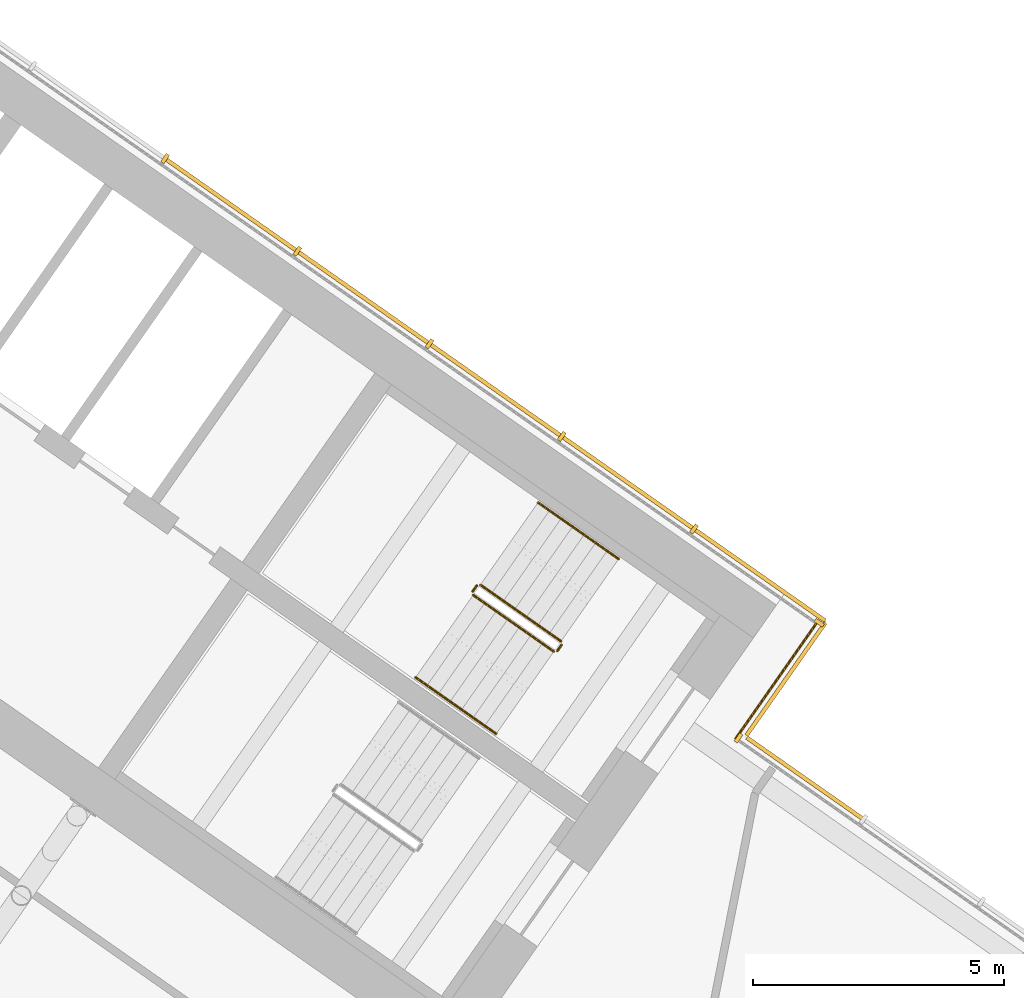
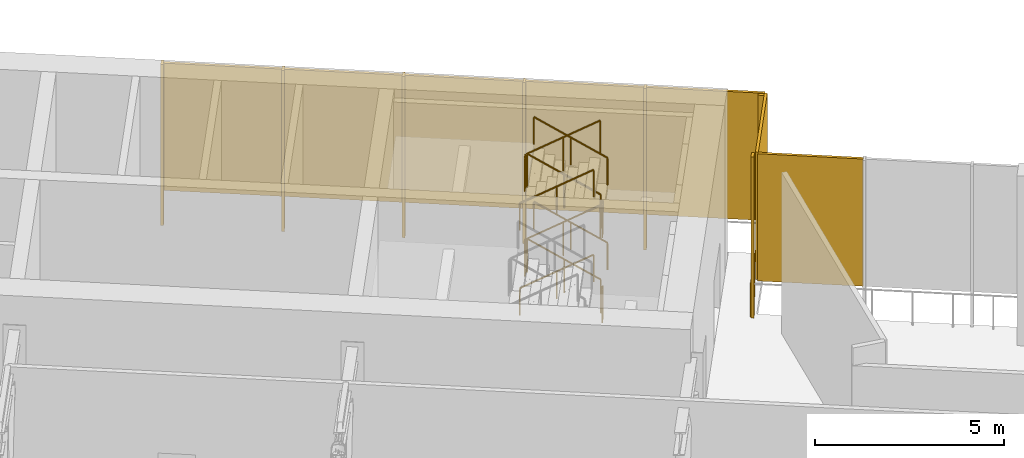
# One storey, part 16 of 19: 14 shading devices, 13 railings.
"""IFC4 building model written with IfcOpenShell, lengths in metres."""

from ifc_helpers import new_model, si_unit, direction, frame, origin, origin_2d, place, context, subcontext, project, spatial, rectangle, circle, extrude, material, layer, layer_set, type_object, element, save


model = new_model("IFC4")

# Units and contexts
model_context = context("Model", 3, precision=1e-05, world=origin(), true_north=direction((0.0, 1.0)))
body_context = subcontext(model_context, "Body", "Model", "MODEL_VIEW")
ifc_project = project(units=[si_unit("LENGTHUNIT", "METRE"), si_unit("AREAUNIT", "SQUARE_METRE"), si_unit("VOLUMEUNIT", "CUBIC_METRE"), si_unit("PLANEANGLEUNIT", "RADIAN"), si_unit("MASSUNIT", "GRAM", prefix="KILO")], contexts=[model_context])

# Site, building, storey
site_placement = place(None, origin())
site = spatial("IfcSite", under=ifc_project, at=site_placement, CompositionType="ELEMENT")
building_placement = place(site_placement, origin())
building = spatial("IfcBuilding", under=site, at=building_placement, Name="Tel Ilan Convention Tower", CompositionType="ELEMENT")
storey_placement = place(building_placement, frame((0.0, 0.0, 213.89990234375)))
storey = spatial("IfcBuildingStorey", under=building, at=storey_placement, Name="L50", CompositionType="ELEMENT", Elevation=213.89990234375)

# Shading devices
ifc_material_1 = material(Name="Perforated aluminium sheet, bronze anodised", Category="aluminium")
ifc_layer_1 = layer(ifc_material_1, 0.080078125)
ifc_layer_set_1 = layer_set([ifc_layer_1], Name="PERFORATED SCREEN 80")
shading_device_type_1 = type_object("IfcShadingDeviceType", Name="PERFORATED SCREEN 80", PredefinedType="USERDEFINED", material=ifc_layer_set_1)
shading_device_1_placement = place(storey_placement, frame((28.52685546875, -10.57470703125, 1.10009765625), z_axis=(0.0, 0.0, 1.0), x_axis=(-0.819152044289, 0.573576436351, 0.0)))
element("IfcShadingDevice", 1, at=shading_device_1_placement, inside=storey, type_object=shading_device_type_1, Name="SCREEN", ObjectType="SCREEN", PredefinedType="USERDEFINED", context=body_context, shape_type="SweptSolid", body=[
    extrude(rectangle(XDim=2.806640625, YDim=0.080078125, at=origin_2d()), origin(), (0.0, 0.0, 1.0), 4.1201171875),
])
shading_device_2_placement = place(storey_placement, frame((28.15576171875, -8.60595703125, 1.10009765625), z_axis=(0.0, 0.0, 1.0), x_axis=(0.573576436351, 0.819152044289, 0.0)))
element("IfcShadingDevice", 2, at=shading_device_2_placement, inside=storey, type_object=shading_device_type_1, Name="SCREEN", ObjectType="SCREEN", PredefinedType="USERDEFINED", context=body_context, shape_type="SweptSolid", body=[
    extrude(rectangle(XDim=2.739990234375, YDim=0.080078125, at=origin_2d()), origin(), (0.0, 0.0, 1.0), 4.1201171875),
])
for number, where, z_axis, x_axis, name in (
    (3, (27.642578125, -6.537353515625, 1.10009765625), (0.0, 0.0, 1.0), (-0.819152044289, 0.573576436351, 0.0), "SCREEN"),
    (4, (25.009765625, -4.694091796875, 1.10009765625), (0.0, 0.0, 1.0), (-0.819152044289, 0.573576436351, 0.0), "SCREEN"),
    (5, (22.377197265625, -2.8505859375, 1.10009765625), (0.0, 0.0, 1.0), (-0.819152044289, 0.573576436351, 0.0), "SCREEN"),
    (6, (19.74462890625, -1.00732421875, 1.10009765625), (0.0, 0.0, 1.0), (-0.819152044289, 0.573576436351, 0.0), "SCREEN"),
    (7, (17.112060546875, 0.836181640625, 1.10009765625), (0.0, 0.0, 1.0), (-0.819152044289, 0.573576436351, 0.0), "SCREEN"),
):
    element("IfcShadingDevice", number, at=place(storey_placement, frame(where, z_axis=z_axis, x_axis=x_axis)), inside=storey, type_object=shading_device_type_1, Name=name, ObjectType="SCREEN", PredefinedType="USERDEFINED", context=body_context, shape_type="SweptSolid", body=[
        extrude(rectangle(XDim=3.15380859375, YDim=0.080078125, at=origin_2d()), origin(), (0.0, 0.0, 1.0), 4.1201171875),
    ])

# Railing
ifc_material_2 = material(Name="Stainless steel S316", Category="steel")
railing_type_1 = type_object("IfcRailingType", Name="REFUGE EDGE GUARD 1100", PredefinedType="GUARDRAIL", material=ifc_material_2)
railing_1_placement = place(storey_placement, frame((28.763916015625, -7.493408203125, 0.0)))
element("IfcRailing", 8, at=railing_1_placement, inside=storey, type_object=railing_type_1, Name="Refuge edge guard 39.R10", PredefinedType="GUARDRAIL", context=body_context, shape_type="SweptSolid", body=[
    extrude(circle(Radius=0.02490234375, at=origin_2d()), frame((0.0, 0.0, 1.0751953125), z_axis=(-0.573608623498, -0.819129505664, 0.0), x_axis=(0.819129505664, -0.573608623498, 0.0)), (0.0, 0.0, 1.0), 2.800048828125),
    extrude(circle(Radius=0.02490234375, at=origin_2d()), origin(), (0.0, 0.0, 1.0), 1.050048828125),
    extrude(circle(Radius=0.02490234375, at=origin_2d()), frame((-0.535400390625, -0.7646484375, 0.0)), (0.0, 0.0, 1.0), 1.050048828125),
    extrude(circle(Radius=0.02490234375, at=origin_2d()), frame((-1.07080078125, -1.529052734375, 0.0)), (0.0, 0.0, 1.0), 1.050048828125),
    extrude(circle(Radius=0.02490234375, at=origin_2d()), frame((-1.606201171875, -2.293701171875, 0.0)), (0.0, 0.0, 1.0), 1.050048828125),
])

# Shading devices
ifc_material_3 = material(Name="Perforated aluminium sheet, bronze anodised", Category="aluminium")
ifc_layer_2 = layer(ifc_material_3, 0.080078125)
ifc_layer_set_2 = layer_set([ifc_layer_2], Name="SCREEN CORNER CLOSURE 80x200")
shading_device_type_2 = type_object("IfcShadingDeviceType", Name="SCREEN CORNER CLOSURE 80x200", PredefinedType="USERDEFINED", material=ifc_layer_set_2)
for number, where, z_axis, x_axis, name in (
    (9, (27.213623046875, -9.77734375, 0.0), (0.0, 0.0, 1.0), (-0.819152044289, 0.573576436351, 0.0), "SCREEN"),
    (10, (28.819580078125, -7.483642578125, 0.0), (0.0, 0.0, 1.0), (0.573576436351, 0.819152044289, 0.0), "SCREEN"),
):
    element("IfcShadingDevice", number, at=place(storey_placement, frame(where, z_axis=z_axis, x_axis=x_axis)), inside=storey, type_object=shading_device_type_2, Name=name, ObjectType="SCREEN", PredefinedType="USERDEFINED", context=body_context, shape_type="SweptSolid", body=[
        extrude(rectangle(XDim=0.080078125, YDim=0.199951171875, at=origin_2d()), origin(), (0.0, 0.0, 1.0), 5.219970703125),
    ])
ifc_material_4 = material(Name="Aluminium, bronze anodised", Category="aluminium")
ifc_layer_3 = layer(ifc_material_4, 0.080078125)
ifc_layer_set_3 = layer_set([ifc_layer_3], Name="SCREEN POST 80x200")
shading_device_type_3 = type_object("IfcShadingDeviceType", Name="SCREEN POST 80x200", PredefinedType="USERDEFINED", material=ifc_layer_set_3)
for number, where, z_axis, x_axis, name in (
    (11, (26.326171875, -5.61572265625, 0.0), (0.0, 0.0, 1.0), (-0.819152044289, 0.573576436351, 0.0), "Screen post"),
    (12, (23.693603515625, -3.772216796875, 0.0), (0.0, 0.0, 1.0), (-0.819152044289, 0.573576436351, 0.0), "Screen post"),
    (13, (21.06103515625, -1.928955078125, 0.0), (0.0, 0.0, 1.0), (-0.819152044289, 0.573576436351, 0.0), "Screen post"),
    (14, (18.42822265625, -0.08544921875, 0.0), (0.0, 0.0, 1.0), (-0.819152044289, 0.573576436351, 0.0), "Screen post"),
    (15, (15.795654296875, 1.7578125, 0.0), (0.0, 0.0, 1.0), (-0.819152044289, 0.573576436351, 0.0), "Screen post"),
):
    element("IfcShadingDevice", number, at=place(storey_placement, frame(where, z_axis=z_axis, x_axis=x_axis)), inside=storey, type_object=shading_device_type_3, Name=name, ObjectType="SCREEN POST", PredefinedType="USERDEFINED", context=body_context, shape_type="SweptSolid", body=[
        extrude(rectangle(XDim=0.080078125, YDim=0.199951171875, at=origin_2d()), origin(), (0.0, 0.0, 1.0), 5.219970703125),
    ])

# Railings
ifc_material_5 = material(Name="Stainless Steel Grade 316", Category="steel")
railing_type_2 = type_object("IfcRailingType", Name="Stainless Steel Stair Guard 1100 mm", PredefinedType="GUARDRAIL", material=ifc_material_5)
railing_2_placement = place(storey_placement, frame((23.6787109375, -7.8515625, 0.171875)))
element("IfcRailing", 16, at=railing_2_placement, inside=storey, type_object=railing_type_2, Name="L50 S3 stair guard 1", PredefinedType="GUARDRAIL", context=body_context, shape_type="SweptSolid", body=[
    extrude(circle(Radius=0.02392578125, at=origin_2d()), frame((0.0, 0.0, 1.076171875), z_axis=(-0.698094737943, 0.488857400886, 0.523146421621), x_axis=(-0.573612813533, -0.819126571508, 0.0)), (0.0, 0.0, 1.0), 2.2998046875),
    extrude(circle(Radius=0.02099609375, at=origin_2d()), origin(), (0.0, 0.0, 1.0), 1.052001953125),
    extrude(circle(Radius=0.02099609375, at=origin_2d()), frame((-0.802734375, 0.56201171875, 0.6015625)), (0.0, 0.0, 1.0), 1.052001953125),
    extrude(circle(Radius=0.02099609375, at=origin_2d()), frame((-1.60546875, 1.124267578125, 1.203125)), (0.0, 0.0, 1.0), 1.052001953125),
])
railing_3_placement = place(storey_placement, frame((22.003662109375, -6.739501953125, 1.375)))
element("IfcRailing", 17, at=railing_3_placement, inside=storey, type_object=railing_type_2, Name="L50 S3 stair guard 2", PredefinedType="GUARDRAIL", context=body_context, shape_type="SweptSolid", body=[
    extrude(circle(Radius=0.02392578125, at=origin_2d()), frame((0.0, 0.0, 1.076171875), z_axis=(-0.57368046593, -0.819079192149, 0.0), x_axis=(0.819079192149, -0.57368046593, 0.0)), (0.0, 0.0, 1.0), 0.150146484375),
    extrude(circle(Radius=0.02099609375, at=origin_2d()), origin(), (0.0, 0.0, 1.0), 1.052001953125),
    extrude(circle(Radius=0.02099609375, at=origin_2d()), frame((-0.086181640625, -0.123046875, 0.0)), (0.0, 0.0, 1.0), 1.052001953125),
])
railing_4_placement = place(storey_placement, frame((21.929931640625, -6.93212890625, 1.546875)))
element("IfcRailing", 18, at=railing_4_placement, inside=storey, type_object=railing_type_2, Name="L50 S3 stair guard 3", PredefinedType="GUARDRAIL", context=body_context, shape_type="SweptSolid", body=[
    extrude(circle(Radius=0.02392578125, at=origin_2d()), frame((0.0, 0.0, 1.076171875), z_axis=(0.698094737943, -0.488857400886, 0.523146421621), x_axis=(0.573612813533, 0.819126571508, 0.0)), (0.0, 0.0, 1.0), 2.2998046875),
    extrude(circle(Radius=0.02099609375, at=origin_2d()), origin(), (0.0, 0.0, 1.0), 1.052001953125),
    extrude(circle(Radius=0.02099609375, at=origin_2d()), frame((0.802734375, -0.56201171875, 0.6015625)), (0.0, 0.0, 1.0), 1.052001953125),
    extrude(circle(Radius=0.02099609375, at=origin_2d()), frame((1.60546875, -1.124267578125, 1.203125)), (0.0, 0.0, 1.0), 1.052001953125),
])
railing_5_placement = place(storey_placement, frame((23.691162109375, -7.921142578125, 2.75)))
element("IfcRailing", 19, at=railing_5_placement, inside=storey, type_object=railing_type_2, Name="L50 S3 stair guard 4", PredefinedType="GUARDRAIL", context=body_context, shape_type="SweptSolid", body=[
    extrude(circle(Radius=0.02392578125, at=origin_2d()), frame((0.0, 0.0, 1.076171875), z_axis=(-0.574444878118, -0.818543268254, 0.0), x_axis=(0.818543268254, -0.574444878118, 0.0)), (0.0, 0.0, 1.0), 0.150146484375),
    extrude(circle(Radius=0.02099609375, at=origin_2d()), origin(), (0.0, 0.0, 1.0), 1.052001953125),
    extrude(circle(Radius=0.02099609375, at=origin_2d()), frame((-0.086181640625, -0.122802734375, 0.0)), (0.0, 0.0, 1.0), 1.052001953125),
])
railing_6_placement = place(storey_placement, frame((23.6787109375, -7.8515625, 2.921875)))
element("IfcRailing", 20, at=railing_6_placement, inside=storey, type_object=railing_type_2, Name="L50 S3 stair guard 5", PredefinedType="GUARDRAIL", context=body_context, shape_type="SweptSolid", body=[
    extrude(circle(Radius=0.02392578125, at=origin_2d()), frame((0.0, 0.0, 1.076171875), z_axis=(-0.698094737943, 0.488857400886, 0.523146421621), x_axis=(-0.573612813533, -0.819126571508, 0.0)), (0.0, 0.0, 1.0), 2.2998046875),
    extrude(circle(Radius=0.02099609375, at=origin_2d()), origin(), (0.0, 0.0, 1.0), 1.052001953125),
    extrude(circle(Radius=0.02099609375, at=origin_2d()), frame((-0.802734375, 0.56201171875, 0.6015625)), (0.0, 0.0, 1.0), 1.052001953125),
    extrude(circle(Radius=0.02099609375, at=origin_2d()), frame((-1.60546875, 1.124267578125, 1.203125)), (0.0, 0.0, 1.0), 1.052001953125),
])
railing_7_placement = place(storey_placement, frame((22.003662109375, -6.739501953125, 4.125)))
element("IfcRailing", 21, at=railing_7_placement, inside=storey, type_object=railing_type_2, Name="L50 S3 stair guard 6", PredefinedType="GUARDRAIL", context=body_context, shape_type="SweptSolid", body=[
    extrude(circle(Radius=0.02392578125, at=origin_2d()), frame((0.0, 0.0, 1.076171875), z_axis=(-0.57368046593, -0.819079192149, 0.0), x_axis=(0.819079192149, -0.57368046593, 0.0)), (0.0, 0.0, 1.0), 0.150146484375),
    extrude(circle(Radius=0.02099609375, at=origin_2d()), origin(), (0.0, 0.0, 1.0), 1.052001953125),
    extrude(circle(Radius=0.02099609375, at=origin_2d()), frame((-0.086181640625, -0.123046875, 0.0)), (0.0, 0.0, 1.0), 1.052001953125),
])
railing_8_placement = place(storey_placement, frame((21.929931640625, -6.93212890625, 4.296875)))
element("IfcRailing", 22, at=railing_8_placement, inside=storey, type_object=railing_type_2, Name="L50 S3 stair guard 7", PredefinedType="GUARDRAIL", context=body_context, shape_type="SweptSolid", body=[
    extrude(circle(Radius=0.02392578125, at=origin_2d()), frame((0.0, 0.0, 1.076171875), z_axis=(0.698094737943, -0.488857400886, 0.523146421621), x_axis=(0.573612813533, 0.819126571508, 0.0)), (0.0, 0.0, 1.0), 2.2998046875),
    extrude(circle(Radius=0.02099609375, at=origin_2d()), origin(), (0.0, 0.0, 1.0), 1.052001953125),
    extrude(circle(Radius=0.02099609375, at=origin_2d()), frame((0.802734375, -0.56201171875, 0.6015625)), (0.0, 0.0, 1.0), 1.052001953125),
    extrude(circle(Radius=0.02099609375, at=origin_2d()), frame((1.60546875, -1.124267578125, 1.203125)), (0.0, 0.0, 1.0), 1.052001953125),
])
railing_9_placement = place(storey_placement, frame((23.691162109375, -7.921142578125, 0.0)))
element("IfcRailing", 23, at=railing_9_placement, inside=storey, type_object=railing_type_2, Name="L50 S3 stair guard 8", PredefinedType="GUARDRAIL", context=body_context, shape_type="SweptSolid", body=[
    extrude(circle(Radius=0.02392578125, at=origin_2d()), frame((0.0, 0.0, 1.076171875), z_axis=(-0.574444878118, -0.818543268254, 0.0), x_axis=(0.818543268254, -0.574444878118, 0.0)), (0.0, 0.0, 1.0), 0.150146484375),
    extrude(circle(Radius=0.02099609375, at=origin_2d()), origin(), (0.0, 0.0, 1.0), 1.052001953125),
    extrude(circle(Radius=0.02099609375, at=origin_2d()), frame((-0.086181640625, -0.122802734375, 0.0)), (0.0, 0.0, 1.0), 1.052001953125),
])
ifc_material_6 = material(Name="Stainless Steel Grade 316", Category="steel")
railing_type_3 = type_object("IfcRailingType", Name="Stainless Steel Stair Handrail 900 mm", PredefinedType="HANDRAIL", material=ifc_material_6)
railing_10_placement = place(storey_placement, frame((24.825927734375, -6.213134765625, 0.171875)))
element("IfcRailing", 24, at=railing_10_placement, inside=storey, type_object=railing_type_3, Name="L50 S3 stair handrail 1", PredefinedType="HANDRAIL", context=body_context, shape_type="SweptSolid", body=[
    extrude(circle(Radius=0.02392578125, at=origin_2d()), frame((0.0, 0.0, 0.8759765625), z_axis=(-0.698130965226, 0.488776606433, 0.523173570048), x_axis=(-0.573529226717, -0.819185098803, 0.0)), (0.0, 0.0, 1.0), 2.299560546875),
    extrude(circle(Radius=0.02099609375, at=origin_2d()), origin(), (0.0, 0.0, 1.0), 0.851806640625),
    extrude(circle(Radius=0.02099609375, at=origin_2d()), frame((-0.802734375, 0.56201171875, 0.6015625)), (0.0, 0.0, 1.0), 0.851806640625),
    extrude(circle(Radius=0.02099609375, at=origin_2d()), frame((-1.60546875, 1.1240234375, 1.203125)), (0.0, 0.0, 1.0), 0.851806640625),
])
railing_11_placement = place(storey_placement, frame((20.78271484375, -8.5703125, 1.546875)))
element("IfcRailing", 25, at=railing_11_placement, inside=storey, type_object=railing_type_3, Name="L50 S3 stair handrail 2", PredefinedType="HANDRAIL", context=body_context, shape_type="SweptSolid", body=[
    extrude(circle(Radius=0.02392578125, at=origin_2d()), frame((0.0, 0.0, 0.8759765625), z_axis=(0.698094737943, -0.488857400886, 0.523146421621), x_axis=(0.573612813533, 0.819126571508, 0.0)), (0.0, 0.0, 1.0), 2.2998046875),
    extrude(circle(Radius=0.02099609375, at=origin_2d()), origin(), (0.0, 0.0, 1.0), 0.851806640625),
    extrude(circle(Radius=0.02099609375, at=origin_2d()), frame((0.802734375, -0.56201171875, 0.6015625)), (0.0, 0.0, 1.0), 0.851806640625),
    extrude(circle(Radius=0.02099609375, at=origin_2d()), frame((1.60546875, -1.124267578125, 1.203125)), (0.0, 0.0, 1.0), 0.851806640625),
])
railing_12_placement = place(storey_placement, frame((24.825927734375, -6.213134765625, 2.921875)))
element("IfcRailing", 26, at=railing_12_placement, inside=storey, type_object=railing_type_3, Name="L50 S3 stair handrail 3", PredefinedType="HANDRAIL", context=body_context, shape_type="SweptSolid", body=[
    extrude(circle(Radius=0.02392578125, at=origin_2d()), frame((0.0, 0.0, 0.8759765625), z_axis=(-0.698130965226, 0.488776606433, 0.523173570048), x_axis=(-0.573529226717, -0.819185098803, 0.0)), (0.0, 0.0, 1.0), 2.299560546875),
    extrude(circle(Radius=0.02099609375, at=origin_2d()), origin(), (0.0, 0.0, 1.0), 0.851806640625),
    extrude(circle(Radius=0.02099609375, at=origin_2d()), frame((-0.802734375, 0.56201171875, 0.6015625)), (0.0, 0.0, 1.0), 0.851806640625),
    extrude(circle(Radius=0.02099609375, at=origin_2d()), frame((-1.60546875, 1.1240234375, 1.203125)), (0.0, 0.0, 1.0), 0.851806640625),
])
railing_13_placement = place(storey_placement, frame((20.78271484375, -8.5703125, 4.296875)))
element("IfcRailing", 27, at=railing_13_placement, inside=storey, type_object=railing_type_3, Name="L50 S3 stair handrail 4", PredefinedType="HANDRAIL", context=body_context, shape_type="SweptSolid", body=[
    extrude(circle(Radius=0.02392578125, at=origin_2d()), frame((0.0, 0.0, 0.8759765625), z_axis=(0.698094737943, -0.488857400886, 0.523146421621), x_axis=(0.573612813533, 0.819126571508, 0.0)), (0.0, 0.0, 1.0), 2.2998046875),
    extrude(circle(Radius=0.02099609375, at=origin_2d()), origin(), (0.0, 0.0, 1.0), 0.851806640625),
    extrude(circle(Radius=0.02099609375, at=origin_2d()), frame((0.802734375, -0.56201171875, 0.6015625)), (0.0, 0.0, 1.0), 0.851806640625),
    extrude(circle(Radius=0.02099609375, at=origin_2d()), frame((1.60546875, -1.124267578125, 1.203125)), (0.0, 0.0, 1.0), 0.851806640625),
])

save(model, "model.ifc")
